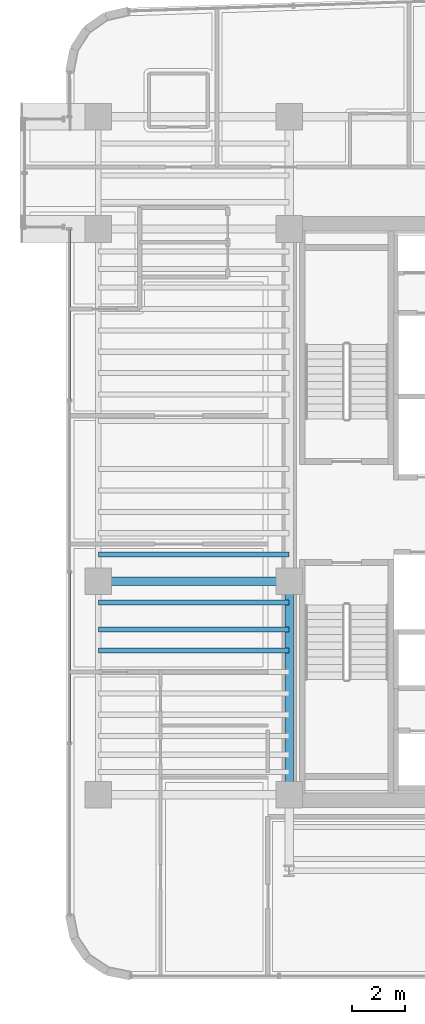
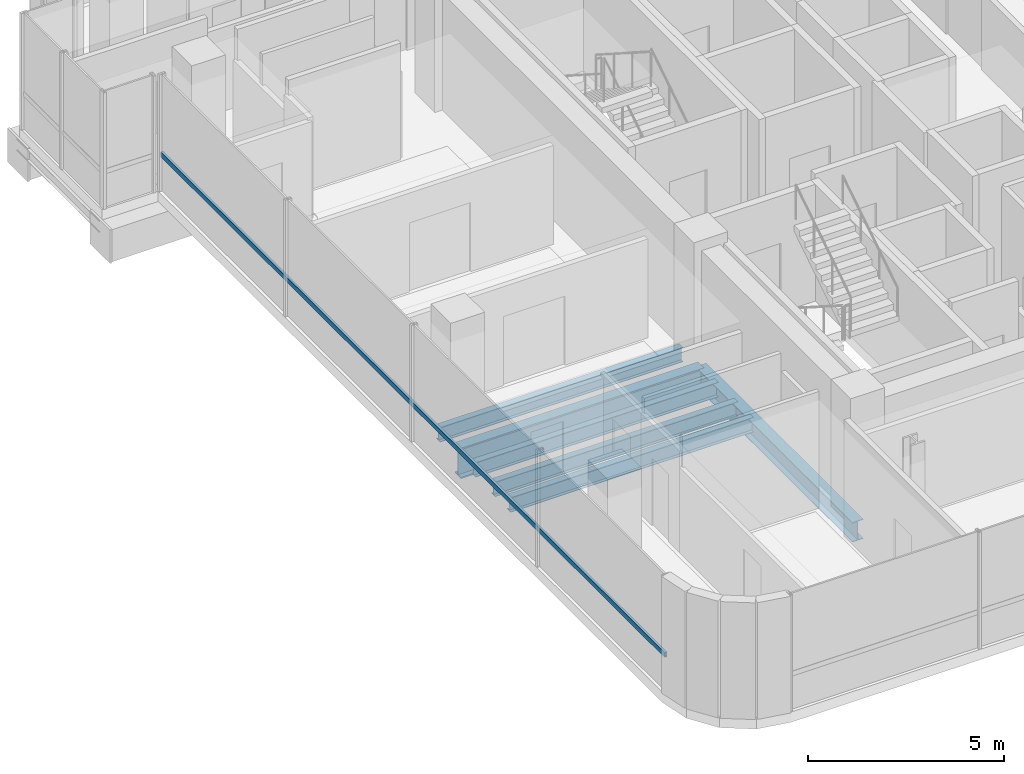
# One storey, part 5 of 39: 6 beams, 1 member, 1 element without a shape of its own.
"""IFC4 building model written with IfcOpenShell, lengths in metres."""

from ifc_helpers import new_model, si_unit, direction, frame, origin, origin_2d, place, context, subcontext, project, spatial, hollow_rectangle, i_section, extrude, source, transform, mapped, material, material_profile, profile_set, type_object, element, aggregate, save


model = new_model("IFC4")

# Units and contexts
model_context = context("Model", 3, precision=1e-05, world=origin(), true_north=direction((0.0, 1.0)))
body_context = subcontext(model_context, "Body", "Model", "MODEL_VIEW")
ifc_project = project(units=[si_unit("LENGTHUNIT", "METRE"), si_unit("AREAUNIT", "SQUARE_METRE"), si_unit("VOLUMEUNIT", "CUBIC_METRE"), si_unit("PLANEANGLEUNIT", "RADIAN"), si_unit("MASSUNIT", "GRAM", prefix="KILO")], contexts=[model_context])

# Site, building, storey
site_placement = place(None, origin())
site = spatial("IfcSite", under=ifc_project, at=site_placement, CompositionType="ELEMENT")
building_placement = place(site_placement, origin())
building = spatial("IfcBuilding", under=site, at=building_placement, Name="Valdorenza Pilgrim Sanctuary Tower", CompositionType="ELEMENT")
storey_placement = place(building_placement, frame((0.0, 0.0, 184.449951171875)))
storey = spatial("IfcBuildingStorey", under=building, at=storey_placement, Name="L47", CompositionType="ELEMENT", Elevation=184.449951171875)

# Beams
ifc_material_1 = material(Name="Steel ASTM A992 Grade 50", Category="steel")
ifc_material_profile_1 = material_profile(ifc_material_1, i_section(OverallWidth=0.323974609375, OverallDepth=0.611083984375, WebThickness=0.0126953125, FlangeThickness=0.01904296875, at=origin_2d()), Name="W24X104")
ifc_profile_set_1 = profile_set([ifc_material_profile_1], Name="Steel ASTM A992 Grade 50")
beam_type_1 = type_object("IfcBeamType", Name="STR-BM-GRD-W24B", PredefinedType="BEAM", material=ifc_profile_set_1)
shared_shape_1 = source(origin(), body_context, "Body", "SweptSolid", [
    extrude(i_section(OverallWidth=0.323974609375, OverallDepth=0.611083984375, WebThickness=0.0126953125, FlangeThickness=0.01904296875, at=origin_2d()), origin(), (0.0, 0.0, 1.0), 8.0),
])
beam_1_placement = place(storey_placement, frame((-22.64990234375, -10.60009765625, -0.62548828125), z_axis=(0.0, 1.0, 0.0), x_axis=(-1.0, 0.0, 0.0)))
element("IfcBeam", 1, at=beam_1_placement, inside=storey, type_object=beam_type_1, Name="L47 Core Tie Girder CA-W-S1M0", PredefinedType="BEAM", context=body_context, shape_type="MappedRepresentation", body=[
    mapped(shared_shape_1, transform((0.0, 0.0, 0.0), x_axis=(1.0, 0.0, 0.0), y_axis=(0.0, 1.0, 0.0), z_axis=(0.0, 0.0, 1.0), scale=1.0)),
])
ifc_material_profile_2 = material_profile(ifc_material_1, i_section(OverallWidth=0.19091796875, OverallDepth=0.45703125, WebThickness=0.009033203125, FlangeThickness=0.014404296875, at=origin_2d()), Name="W18X50")
ifc_profile_set_2 = profile_set([ifc_material_profile_2], Name="Steel ASTM A992 Grade 50")
beam_type_2 = type_object("IfcBeamType", Name="STR-BM-JST-W18B", PredefinedType="JOIST", material=ifc_profile_set_2)
shared_shape_2 = source(origin(), body_context, "Body", "SweptSolid", [
    extrude(i_section(OverallWidth=0.19091796875, OverallDepth=0.45703125, WebThickness=0.009033203125, FlangeThickness=0.014404296875, at=origin_2d()), origin(), (0.0, 0.0, 1.0), 7.150146484375),
])
for number, where, z_axis, x_axis, name in (
    (2, (-29.800048828125, -5.199951171875, -0.54833984375), (1.0, 0.0, 0.0), (0.0, 1.0, 0.0), "L47 Composite Floor Joist JST-WA-7"),
    (3, (-29.800048828125, -4.39990234375, -0.54833984375), (1.0, 0.0, 0.0), (0.0, 1.0, 0.0), "L47 Composite Floor Joist JST-WA-8"),
    (4, (-29.800048828125, -3.39990234375, -0.54833984375), (1.0, 0.0, 0.0), (0.0, 1.0, 0.0), "L47 Composite Floor Joist JST-WA-9"),
    (5, (-29.800048828125, -1.60009765625, -0.54833984375), (1.0, 0.0, 0.0), (0.0, 1.0, 0.0), "L47 Composite Floor Joist JST-WA-10"),
):
    element("IfcBeam", number, at=place(storey_placement, frame(where, z_axis=z_axis, x_axis=x_axis)), inside=storey, type_object=beam_type_2, Name=name, PredefinedType="JOIST", context=body_context, shape_type="MappedRepresentation", body=[
        mapped(shared_shape_2, transform((0.0, 0.0, 0.0), x_axis=(1.0, 0.0, 0.0), y_axis=(0.0, 1.0, 0.0), z_axis=(0.0, 0.0, 1.0), scale=1.0)),
    ])
ifc_material_profile_3 = material_profile(ifc_material_1, i_section(OverallWidth=0.31005859375, OverallDepth=0.949951171875, WebThickness=0.0244140625, FlangeThickness=0.0439453125, at=origin_2d()), Name="W36X256")
ifc_profile_set_3 = profile_set([ifc_material_profile_3], Name="Steel ASTM A992 Grade 50")
beam_type_3 = type_object("IfcBeamType", Name="STR-BM-GRD-W36B", PredefinedType="BEAM", material=ifc_profile_set_3)
shared_shape_3 = source(origin(), body_context, "Body", "SweptSolid", [
    extrude(i_section(OverallWidth=0.31005859375, OverallDepth=0.949951171875, WebThickness=0.0244140625, FlangeThickness=0.0439453125, at=origin_2d()), origin(), (0.0, 0.0, 1.0), 7.150146484375),
])
beam_2_placement = place(storey_placement, frame((-29.800048828125, -2.60009765625, -0.794921875), z_axis=(1.0, 0.0, 0.0), x_axis=(0.0, 1.0, 0.0)))
element("IfcBeam", 6, at=beam_2_placement, inside=storey, type_object=beam_type_3, Name="L47 Floor Girder WA-XW-M0", PredefinedType="BEAM", context=body_context, shape_type="MappedRepresentation", body=[
    mapped(shared_shape_3, transform((0.0, 0.0, 0.0), x_axis=(1.0, 0.0, 0.0), y_axis=(0.0, 1.0, 0.0), z_axis=(0.0, 0.0, 1.0), scale=1.0)),
])

# Curtain wall, member
ifc_material_2 = material(Name="Curtain-wall IGU glazing", Category="glass")
curtain_wall_type = type_object("IfcCurtainWallType", Name="CW-SYS-02", PredefinedType="NOTDEFINED", material=ifc_material_2)
curtain_wall_placement = place(storey_placement, origin())
curtain_wall = element("IfcCurtainWall", 7, at=curtain_wall_placement, inside=storey, type_object=curtain_wall_type, Name="L47 Curtain Wall CW-L47-1-1S1", PredefinedType="NOTDEFINED")
ifc_material_3 = material(Name="Anodised aluminium AW-6060", Category="aluminium")
ifc_material_profile_4 = material_profile(ifc_material_3, hollow_rectangle(XDim=0.074951171875, YDim=0.14990234375, WallThickness=0.00390625, at=origin_2d()), Name="ALU-T 150x75x4")
ifc_profile_set_4 = profile_set([ifc_material_profile_4], Name="Anodised aluminium AW-6060")
member_type = type_object("IfcMemberType", Name="CW-TRN-02", PredefinedType="USERDEFINED", material=ifc_profile_set_4)
shared_shape_4 = source(origin(), body_context, "Body", "SweptSolid", [
    extrude(hollow_rectangle(XDim=0.074951171875, YDim=0.14990234375, WallThickness=0.00390625, at=origin_2d()), origin(), (0.0, 0.0, 1.0), 25.689208984375),
])
member_placement = place(storey_placement, frame((-30.889892578125, -15.089111328125, 1.1201171875), z_axis=(0.0, 1.0, 0.0), x_axis=(-1.0, 0.0, 0.0)))
member = element("IfcMember", 8, at=member_placement, type_object=member_type, Name="CW-L47-1-1S1 Transom 1", ObjectType="TRANSOM", PredefinedType="USERDEFINED", context=body_context, shape_type="MappedRepresentation", body=[
    mapped(shared_shape_4, transform((0.0, 0.0, 0.0), x_axis=(1.0, 0.0, 0.0), y_axis=(0.0, 1.0, 0.0), z_axis=(0.0, 0.0, 1.0), scale=1.0)),
])
aggregate(curtain_wall, [member])

save(model, "model.ifc")
